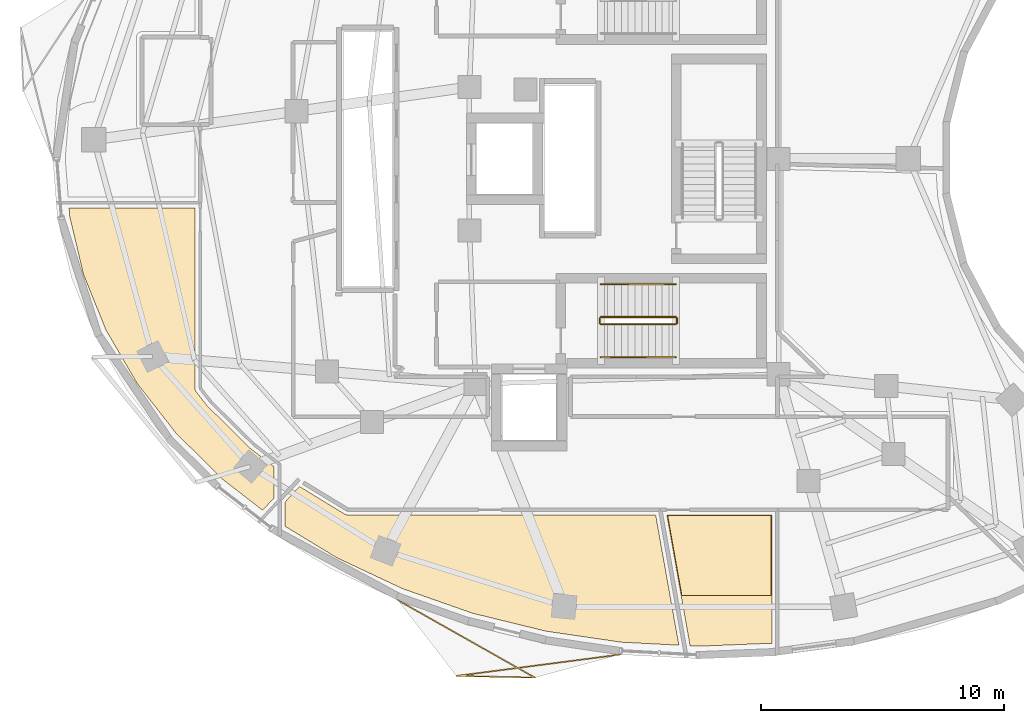
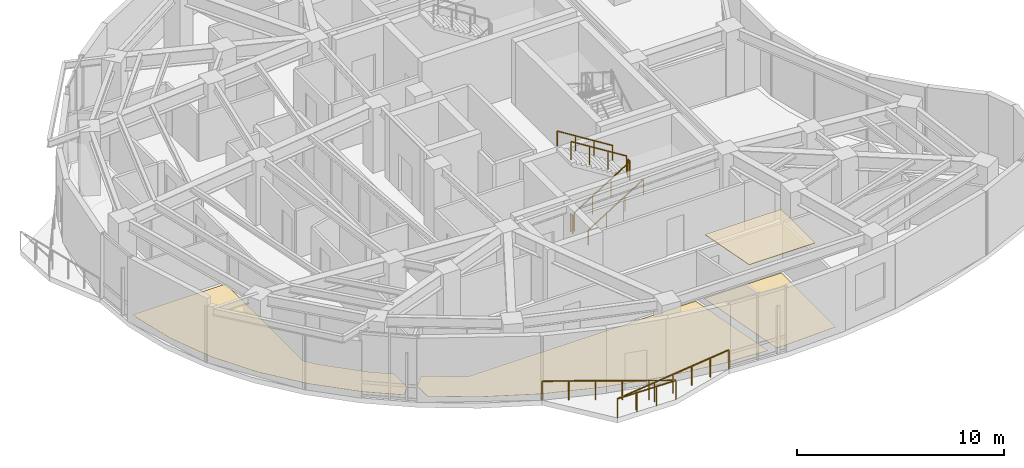
# One storey, part 11 of 13: 7 railings, 4 coverings.
"""IFC4 building model written with IfcOpenShell, lengths in metres."""

from ifc_helpers import new_model, si_unit, direction, frame, origin, origin_2d, place, context, subcontext, project, spatial, polyline, rectangle, outline, extrude, material, layer, layer_set, type_object, element, save


model = new_model("IFC4")

# Units and contexts
model_context = context("Model", 3, precision=1e-05, world=origin(), true_north=direction((0.0, 1.0)))
body_context = subcontext(model_context, "Body", "Model", "MODEL_VIEW")
ifc_project = project(units=[si_unit("LENGTHUNIT", "METRE"), si_unit("AREAUNIT", "SQUARE_METRE"), si_unit("VOLUMEUNIT", "CUBIC_METRE"), si_unit("PLANEANGLEUNIT", "RADIAN"), si_unit("MASSUNIT", "GRAM", prefix="KILO")], contexts=[model_context])

# Site, building, storey
site_placement = place(None, origin())
site = spatial("IfcSite", under=ifc_project, at=site_placement, CompositionType="ELEMENT")
building_placement = place(site_placement, origin())
building = spatial("IfcBuilding", under=site, at=building_placement, Name="Korentha Bioscience Tower", CompositionType="ELEMENT")
storey_placement = place(building_placement, frame((0.0, 0.0, 162.60009765625)))
storey = spatial("IfcBuildingStorey", under=building, at=storey_placement, Name="L37", CompositionType="ELEMENT", Elevation=162.60009765625)

# Railings
ifc_material_1 = material(Name="Stainless Steel 304", Category="steel")
railing_type_1 = type_object("IfcRailingType", Name="Brushed Stainless Stair Handrail 900", PredefinedType="HANDRAIL", material=ifc_material_1)
railing_1_placement = place(storey_placement, frame((30.25, 18.85009765625, 0.1748046875)))
element("IfcRailing", 1, at=railing_1_placement, inside=storey, type_object=railing_type_1, Name="L37 ST-2 stair handrail 1", PredefinedType="HANDRAIL", context=body_context, shape_type="SweptSolid", body=[
    extrude(rectangle(XDim=0.048095703125, YDim=0.048095703125, at=origin_2d()), frame((0.0, 0.0, 0.8759765625), z_axis=(0.847998304005, 0.0, 0.529998940003), x_axis=(0.0, 1.0, 0.0)), (0.0, 0.0, 1.0), 3.632080078125),
    extrude(rectangle(XDim=0.0419921875, YDim=0.0419921875, at=origin_2d()), origin(), (0.0, 0.0, 1.0), 0.851806640625),
    extrude(rectangle(XDim=0.0419921875, YDim=0.0419921875, at=origin_2d()), frame((1.026611328125, 0.0, 0.6416015625)), (0.0, 0.0, 1.0), 0.851806640625),
    extrude(rectangle(XDim=0.0419921875, YDim=0.0419921875, at=origin_2d()), frame((2.053466796875, 0.0, 1.283447265625)), (0.0, 0.0, 1.0), 0.851806640625),
    extrude(rectangle(XDim=0.0419921875, YDim=0.0419921875, at=origin_2d()), frame((3.080078125, 0.0, 1.925048828125)), (0.0, 0.0, 1.0), 0.851806640625),
])
railing_2_placement = place(storey_placement, frame((33.330078125, 21.85009765625, 2.27490234375)))
element("IfcRailing", 2, at=railing_2_placement, inside=storey, type_object=railing_type_1, Name="L37 ST-2 stair handrail 2", PredefinedType="HANDRAIL", context=body_context, shape_type="SweptSolid", body=[
    extrude(rectangle(XDim=0.048095703125, YDim=0.048095703125, at=origin_2d()), frame((0.0, 0.0, 0.8759765625), z_axis=(-0.847998304005, 0.0, 0.529998940003), x_axis=(0.0, -1.0, 0.0)), (0.0, 0.0, 1.0), 3.632080078125),
    extrude(rectangle(XDim=0.0419921875, YDim=0.0419921875, at=origin_2d()), origin(), (0.0, 0.0, 1.0), 0.851806640625),
    extrude(rectangle(XDim=0.0419921875, YDim=0.0419921875, at=origin_2d()), frame((-1.026611328125, 0.0, 0.6416015625)), (0.0, 0.0, 1.0), 0.851806640625),
    extrude(rectangle(XDim=0.0419921875, YDim=0.0419921875, at=origin_2d()), frame((-2.053466796875, 0.0, 1.283447265625)), (0.0, 0.0, 1.0), 0.851806640625),
    extrude(rectangle(XDim=0.0419921875, YDim=0.0419921875, at=origin_2d()), frame((-3.080078125, 0.0, 1.925048828125)), (0.0, 0.0, 1.0), 0.851806640625),
])
ifc_material_2 = material(Name="Laminated Tempered Safety Glass", Category="glass")
railing_type_2 = type_object("IfcRailingType", Name="Laminated Glass Balcony Guardrail 1150", PredefinedType="BALUSTRADE", material=ifc_material_2)
railing_3_placement = place(storey_placement, frame((21.907470703125, 8.871337890625, 0.0)))
element("IfcRailing", 3, at=railing_3_placement, inside=storey, type_object=railing_type_2, Name="L37 Balcony Guardrail 03", PredefinedType="BALUSTRADE", context=body_context, shape_type="SweptSolid", body=[
    extrude(rectangle(XDim=0.048095703125, YDim=0.048095703125, at=origin_2d()), frame((0.0, 0.0, 1.1259765625), z_axis=(0.870664024138, -0.491878193327, 0.0), x_axis=(0.491878193327, 0.870664024138, 0.0)), (0.0, 0.0, 1.0), 6.4697265625),
    extrude(rectangle(XDim=0.048095703125, YDim=0.048095703125, at=origin_2d()), frame((5.633056640625, -3.182373046875, 1.1259765625), z_axis=(-0.99977218626, 0.021344216559, 0.0), x_axis=(-0.021344216559, -0.99977218626, 0.0)), (0.0, 0.0, 1.0), 3.2255859375),
    extrude(rectangle(XDim=0.048095703125, YDim=0.048095703125, at=origin_2d()), frame((2.408203125, -3.113525390625, 1.1259765625), z_axis=(0.99157569469, 0.129528536236, 0.0), x_axis=(-0.129528536236, 0.99157569469, 0.0)), (0.0, 0.0, 1.0), 6.77978515625),
    extrude(rectangle(XDim=0.0419921875, YDim=0.0419921875, at=origin_2d()), origin(), (0.0, 0.0, 1.0), 1.101806640625),
    extrude(rectangle(XDim=0.0419921875, YDim=0.0419921875, at=origin_2d()), frame((1.126708984375, -0.636474609375, 0.0)), (0.0, 0.0, 1.0), 1.101806640625),
    extrude(rectangle(XDim=0.0419921875, YDim=0.0419921875, at=origin_2d()), frame((2.253173828125, -1.27294921875, 0.0)), (0.0, 0.0, 1.0), 1.101806640625),
    extrude(rectangle(XDim=0.0419921875, YDim=0.0419921875, at=origin_2d()), frame((3.3798828125, -1.909423828125, 0.0)), (0.0, 0.0, 1.0), 1.101806640625),
    extrude(rectangle(XDim=0.0419921875, YDim=0.0419921875, at=origin_2d()), frame((4.50634765625, -2.5458984375, 0.0)), (0.0, 0.0, 1.0), 1.101806640625),
    extrude(rectangle(XDim=0.0419921875, YDim=0.0419921875, at=origin_2d()), frame((5.633056640625, -3.182373046875, 0.0)), (0.0, 0.0, 1.0), 1.101806640625),
    extrude(rectangle(XDim=0.0419921875, YDim=0.0419921875, at=origin_2d()), frame((4.55810546875, -3.159423828125, 0.0)), (0.0, 0.0, 1.0), 1.101806640625),
    extrude(rectangle(XDim=0.0419921875, YDim=0.0419921875, at=origin_2d()), frame((3.483154296875, -3.136474609375, 0.0)), (0.0, 0.0, 1.0), 1.101806640625),
    extrude(rectangle(XDim=0.0419921875, YDim=0.0419921875, at=origin_2d()), frame((2.408203125, -3.113525390625, 0.0)), (0.0, 0.0, 1.0), 1.101806640625),
    extrude(rectangle(XDim=0.0419921875, YDim=0.0419921875, at=origin_2d()), frame((3.528564453125, -2.96728515625, 0.0)), (0.0, 0.0, 1.0), 1.101806640625),
    extrude(rectangle(XDim=0.0419921875, YDim=0.0419921875, at=origin_2d()), frame((4.649169921875, -2.82080078125, 0.0)), (0.0, 0.0, 1.0), 1.101806640625),
    extrude(rectangle(XDim=0.0419921875, YDim=0.0419921875, at=origin_2d()), frame((5.76953125, -2.67431640625, 0.0)), (0.0, 0.0, 1.0), 1.101806640625),
    extrude(rectangle(XDim=0.0419921875, YDim=0.0419921875, at=origin_2d()), frame((6.889892578125, -2.528076171875, 0.0)), (0.0, 0.0, 1.0), 1.101806640625),
    extrude(rectangle(XDim=0.0419921875, YDim=0.0419921875, at=origin_2d()), frame((8.010498046875, -2.3818359375, 0.0)), (0.0, 0.0, 1.0), 1.101806640625),
    extrude(rectangle(XDim=0.0419921875, YDim=0.0419921875, at=origin_2d()), frame((9.130859375, -2.2353515625, 0.0)), (0.0, 0.0, 1.0), 1.101806640625),
])

# Covering
ifc_material_3 = material(Name="Antimicrobial Mineral Fibre Board", Category="gypsum")
ifc_layer_1 = layer(ifc_material_3, 0.034912109375, Name="Antimicrobial Mineral Fibre Board")
ifc_layer_set_1 = layer_set([ifc_layer_1], Name="Antimicrobial Mineral Fibre Board (CL-MF35)")
covering_type_1 = type_object("IfcCoveringType", Name="Mineral-Fibre Cleanroom Suspended Ceiling 35", PredefinedType="CEILING", material=ifc_layer_set_1)
covering_1_placement = place(storey_placement, frame((0.0, 0.0, 3.7548828125)))
element("IfcCovering", 4, at=covering_1_placement, inside=storey, type_object=covering_type_1, Name="L37 Airlock Gowning Anteroom 05 Acoustic Ceiling", PredefinedType="CEILING", context=body_context, shape_type="SweptSolid", body=[
    extrude(outline(polyline([(37.248046875, 9.064453125), (33.576904296875, 9.066162109375), (32.993896484375, 12.340087890625), (37.248046875, 12.340087890625), (37.248046875, 9.064453125)])), origin(), (0.0, 0.0, 1.0), 0.034912109375),
])

# Railings
ifc_material_4 = material(Name="Painted Steel S275", Category="steel")
railing_type_3 = type_object("IfcRailingType", Name="Painted Steel Stair Well Guardrail 1100", PredefinedType="GUARDRAIL", material=ifc_material_4)
railing_4_placement = place(storey_placement, frame((30.25, 20.199951171875, 0.1748046875)))
element("IfcRailing", 5, at=railing_4_placement, inside=storey, type_object=railing_type_3, Name="L37 ST-2 stair guard 1", PredefinedType="GUARDRAIL", context=body_context, shape_type="SweptSolid", body=[
    extrude(rectangle(XDim=0.048095703125, YDim=0.048095703125, at=origin_2d()), frame((0.0, 0.0, 1.076171875), z_axis=(0.847998304005, 0.0, 0.529998940003), x_axis=(0.0, 1.0, 0.0)), (0.0, 0.0, 1.0), 3.632080078125),
    extrude(rectangle(XDim=0.0419921875, YDim=0.0419921875, at=origin_2d()), origin(), (0.0, 0.0, 1.0), 1.052001953125),
    extrude(rectangle(XDim=0.0419921875, YDim=0.0419921875, at=origin_2d()), frame((1.026611328125, 0.0, 0.6416015625)), (0.0, 0.0, 1.0), 1.052001953125),
    extrude(rectangle(XDim=0.0419921875, YDim=0.0419921875, at=origin_2d()), frame((2.053466796875, 0.0, 1.283447265625)), (0.0, 0.0, 1.0), 1.052001953125),
    extrude(rectangle(XDim=0.0419921875, YDim=0.0419921875, at=origin_2d()), frame((3.080078125, 0.0, 1.925048828125)), (0.0, 0.0, 1.0), 1.052001953125),
])
railing_5_placement = place(storey_placement, frame((33.3798828125, 20.25, 2.099853515625)))
element("IfcRailing", 6, at=railing_5_placement, inside=storey, type_object=railing_type_3, Name="L37 ST-2 stair guard 2", PredefinedType="GUARDRAIL", context=body_context, shape_type="SweptSolid", body=[
    extrude(rectangle(XDim=0.048095703125, YDim=0.048095703125, at=origin_2d()), frame((0.0, 0.0, 1.076171875), z_axis=(0.0, 1.0, 0.0), x_axis=(-1.0, 0.0, 0.0)), (0.0, 0.0, 1.0), 0.199951171875),
    extrude(rectangle(XDim=0.0419921875, YDim=0.0419921875, at=origin_2d()), origin(), (0.0, 0.0, 1.0), 1.052001953125),
    extrude(rectangle(XDim=0.0419921875, YDim=0.0419921875, at=origin_2d()), frame((0.0, 0.199951171875, 0.0)), (0.0, 0.0, 1.0), 1.052001953125),
])
railing_6_placement = place(storey_placement, frame((33.330078125, 20.5, 2.27490234375)))
element("IfcRailing", 7, at=railing_6_placement, inside=storey, type_object=railing_type_3, Name="L37 ST-2 stair guard 3", PredefinedType="GUARDRAIL", context=body_context, shape_type="SweptSolid", body=[
    extrude(rectangle(XDim=0.048095703125, YDim=0.048095703125, at=origin_2d()), frame((0.0, 0.0, 1.076171875), z_axis=(-0.847998304005, 0.0, 0.529998940003), x_axis=(0.0, -1.0, 0.0)), (0.0, 0.0, 1.0), 3.632080078125),
    extrude(rectangle(XDim=0.0419921875, YDim=0.0419921875, at=origin_2d()), origin(), (0.0, 0.0, 1.0), 1.052001953125),
    extrude(rectangle(XDim=0.0419921875, YDim=0.0419921875, at=origin_2d()), frame((-1.026611328125, 0.0, 0.6416015625)), (0.0, 0.0, 1.0), 1.052001953125),
    extrude(rectangle(XDim=0.0419921875, YDim=0.0419921875, at=origin_2d()), frame((-2.053466796875, 0.0, 1.283447265625)), (0.0, 0.0, 1.0), 1.052001953125),
    extrude(rectangle(XDim=0.0419921875, YDim=0.0419921875, at=origin_2d()), frame((-3.080078125, 0.0, 1.925048828125)), (0.0, 0.0, 1.0), 1.052001953125),
])
railing_7_placement = place(storey_placement, frame((30.199951171875, 20.25, 0.0)))
element("IfcRailing", 8, at=railing_7_placement, inside=storey, type_object=railing_type_3, Name="L37 ST-2 stair guard 4", PredefinedType="GUARDRAIL", context=body_context, shape_type="SweptSolid", body=[
    extrude(rectangle(XDim=0.048095703125, YDim=0.048095703125, at=origin_2d()), frame((0.0, 0.0, 1.076171875), z_axis=(0.0, 1.0, 0.0), x_axis=(-1.0, 0.0, 0.0)), (0.0, 0.0, 1.0), 0.199951171875),
    extrude(rectangle(XDim=0.0419921875, YDim=0.0419921875, at=origin_2d()), origin(), (0.0, 0.0, 1.0), 1.052001953125),
    extrude(rectangle(XDim=0.0419921875, YDim=0.0419921875, at=origin_2d()), frame((0.0, 0.199951171875, 0.0)), (0.0, 0.0, 1.0), 1.052001953125),
])

# Coverings
ifc_material_5 = material(Name="Chemical-Resistant Epoxy Resin", Category="polymer")
ifc_layer_2 = layer(ifc_material_5, 0.011962890625, Name="Chemical-Resistant Epoxy Resin")
ifc_layer_set_2 = layer_set([ifc_layer_2], Name="Chemical-Resistant Epoxy Resin (FL-EPX)")
covering_type_2 = type_object("IfcCoveringType", Name="Seamless Epoxy Laboratory Flooring 12", PredefinedType="FLOORING", material=ifc_layer_set_2)
covering_2_placement = place(storey_placement, origin())
element("IfcCovering", 9, at=covering_2_placement, inside=storey, type_object=covering_type_2, Name="L37 Principal Investigator Office 01 Floor Finish", PredefinedType="FLOORING", context=body_context, shape_type="SweptSolid", body=[
    extrude(outline(polyline([(13.570068359375, 24.97802734375), (13.576416015625, 17.529052734375), (13.612548828125, 17.44921875), (14.073974609375, 16.859619140625), (15.839111328125, 15.115234375), (16.827880859375, 14.34716796875), (16.827880859375, 13.0712890625), (16.354736328125, 12.563720703125), (14.727294921875, 13.82421875), (12.801025390625, 15.726806640625), (11.189453125, 17.7880859375), (9.914306640625, 19.978271484375), (8.991943359375, 22.265380859375), (8.43408203125, 24.616455078125), (8.406005859375, 24.97802734375), (13.570068359375, 24.97802734375)])), origin(), (0.0, 0.0, 1.0), 0.011962890625),
])
covering_3_placement = place(storey_placement, origin())
element("IfcCovering", 10, at=covering_3_placement, inside=storey, type_object=covering_type_2, Name="L37 Staff Pantry Kitchenette 03 Floor Finish", PredefinedType="FLOORING", context=body_context, shape_type="SweptSolid", body=[
    extrude(outline(polyline([(17.871337890625, 13.5390625), (19.730224609375, 12.403564453125), (19.8388671875, 12.370361328125), (32.5009765625, 12.3701171875), (33.453857421875, 7.0205078125), (31.0888671875, 7.14404296875), (27.983154296875, 7.598388671875), (24.972412109375, 8.33544921875), (22.10107421875, 9.343994140625), (19.410888671875, 10.6083984375), (17.272216796875, 11.908203125), (17.27197265625, 12.896240234375), (17.871337890625, 13.5390625)])), origin(), (0.0, 0.0, 1.0), 0.011962890625),
])
covering_4_placement = place(storey_placement, origin())
element("IfcCovering", 11, at=covering_4_placement, inside=storey, type_object=covering_type_2, Name="L37 Airlock Gowning Anteroom 05 Floor Finish", PredefinedType="FLOORING", context=body_context, shape_type="SweptSolid", body=[
    extrude(outline(polyline([(32.9580078125, 12.3701171875), (37.278076171875, 12.3701171875), (37.278076171875, 7.101318359375), (34.243896484375, 6.97900390625), (33.915283203125, 6.996337890625), (32.9580078125, 12.3701171875)])), origin(), (0.0, 0.0, 1.0), 0.011962890625),
])

save(model, "model.ifc")
